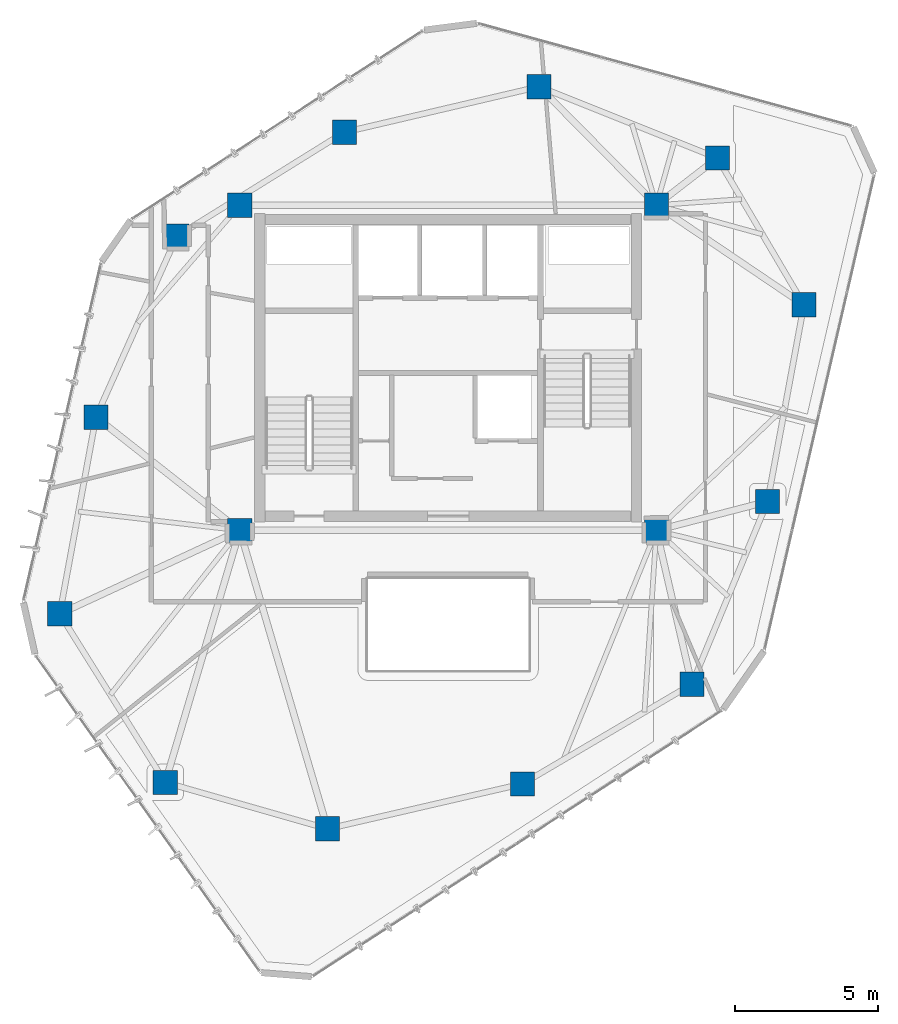
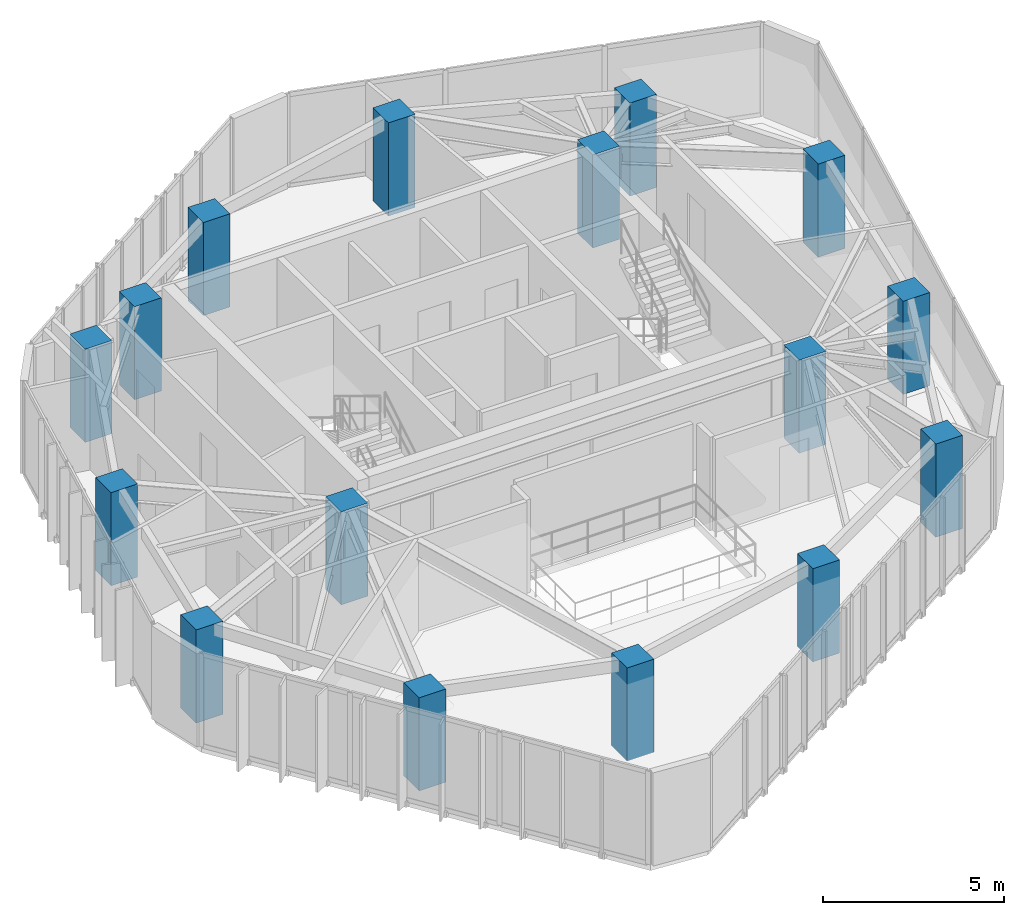
# One storey, part 1 of 20: 16 columns.
"""IFC4 building model written with IfcOpenShell, lengths in metres."""

from ifc_helpers import new_model, si_unit, direction, frame, origin, origin_2d, place, context, subcontext, project, spatial, rectangle, extrude, material, material_profile, profile_set, type_object, element, save


model = new_model("IFC4")

# Units and contexts
model_context = context("Model", 3, precision=1e-05, world=origin(), true_north=direction((0.0, 1.0)))
body_context = subcontext(model_context, "Body", "Model", "MODEL_VIEW")
ifc_project = project(units=[si_unit("LENGTHUNIT", "METRE"), si_unit("AREAUNIT", "SQUARE_METRE"), si_unit("VOLUMEUNIT", "CUBIC_METRE"), si_unit("PLANEANGLEUNIT", "RADIAN"), si_unit("MASSUNIT", "GRAM", prefix="KILO")], contexts=[model_context])

# Site, building, storey
site_placement = place(None, origin())
site = spatial("IfcSite", under=ifc_project, at=site_placement, CompositionType="ELEMENT")
building_placement = place(site_placement, origin())
building = spatial("IfcBuilding", under=site, at=building_placement, Name="Talar Marvaseh", CompositionType="ELEMENT")
storey_placement = place(building_placement, frame((0.0, 0.0, 247.60009765625)))
storey = spatial("IfcBuildingStorey", under=building, at=storey_placement, Name="L65", CompositionType="ELEMENT", Elevation=247.60009765625)

# Columns
ifc_material = material(Name="Concrete C50/60", Category="concrete")
ifc_material_profile = material_profile(ifc_material, rectangle(XDim=0.85009765625, YDim=0.85009765625, at=origin_2d()), Name="RC850x850")
ifc_profile_set = profile_set([ifc_material_profile], Name="Concrete C50/60")
column_type = type_object("IfcColumnType", Name="Zone 4 Tube Column RC850x850", PredefinedType="COLUMN", material=ifc_profile_set)
for number, where, z_axis, x_axis, name in (
    (1, (12.388916015625, 22.576904296875, 0.0), (0.0, 0.0, 1.0), (1.0, 0.0, 0.0), "L65 Zone 4 Tube Column RC850x850"),
    (2, (13.657958984375, 29.469970703125, 0.0), (0.0, 0.0, 1.0), (1.0, 0.0, 0.0), "L65 Zone 4 Tube Column RC850x850"),
    (3, (16.493896484375, 35.806884765625, 0.0), (0.0, 0.0, 1.0), (1.0, 0.0, 0.0), "L65 Zone 4 Tube Column RC850x850"),
    (4, (22.364990234375, 39.4541015625, 0.0), (0.0, 0.0, 1.0), (1.0, 0.0, 0.0), "L65 Zone 4 Tube Column RC850x850"),
    (5, (29.18798828125, 41.052001953125, 0.0), (0.0, 0.0, 1.0), (1.0, 0.0, 0.0), "L65 Zone 4 Tube Column RC850x850"),
    (6, (35.43798828125, 38.551025390625, 0.0), (0.0, 0.0, 1.0), (1.0, 0.0, 0.0), "L65 Zone 4 Tube Column RC850x850"),
    (7, (38.470947265625, 33.406005859375, 0.0), (0.0, 0.0, 1.0), (1.0, 0.0, 0.0), "L65 Zone 4 Tube Column RC850x850"),
    (8, (37.197021484375, 26.513916015625, 0.0), (0.0, 0.0, 1.0), (1.0, 0.0, 0.0), "L65 Zone 4 Tube Column RC850x850"),
    (9, (34.5439453125, 20.111083984375, 0.0), (0.0, 0.0, 1.0), (1.0, 0.0, 0.0), "L65 Zone 4 Tube Column RC850x850"),
    (10, (28.60498046875, 16.616943359375, 0.0), (0.0, 0.0, 1.0), (1.0, 0.0, 0.0), "L65 Zone 4 Tube Column RC850x850"),
    (11, (21.77587890625, 15.0400390625, 0.0), (0.0, 0.0, 1.0), (1.0, 0.0, 0.0), "L65 Zone 4 Tube Column RC850x850"),
    (12, (16.0869140625, 16.66796875, 0.0), (0.0, 0.0, 1.0), (1.0, 0.0, 0.0), "L65 Zone 4 Tube Column RC850x850"),
    (13, (18.699951171875, 25.5, 0.0), (0.0, 0.0, 1.0), (1.0, 0.0, 0.0), "L65 Zone 4 Tube Column RC850x850"),
    (14, (33.300048828125, 25.5, 0.0), (0.0, 0.0, 1.0), (1.0, 0.0, 0.0), "L65 Zone 4 Tube Column RC850x850"),
    (15, (33.300048828125, 36.89990234375, 0.0), (0.0, 0.0, 1.0), (1.0, 0.0, 0.0), "L65 Zone 4 Tube Column RC850x850"),
    (16, (18.699951171875, 36.89990234375, 0.0), (0.0, 0.0, 1.0), (1.0, 0.0, 0.0), "L65 Zone 4 Tube Column RC850x850"),
):
    element("IfcColumn", number, at=place(storey_placement, frame(where, z_axis=z_axis, x_axis=x_axis)), inside=storey, type_object=column_type, Name=name, PredefinedType="COLUMN", context=body_context, shape_type="SweptSolid", body=[
        extrude(rectangle(XDim=0.85009765625, YDim=0.85009765625, at=origin_2d()), origin(), (0.0, 0.0, 1.0), 3.139892578125),
    ])

save(model, "model.ifc")
